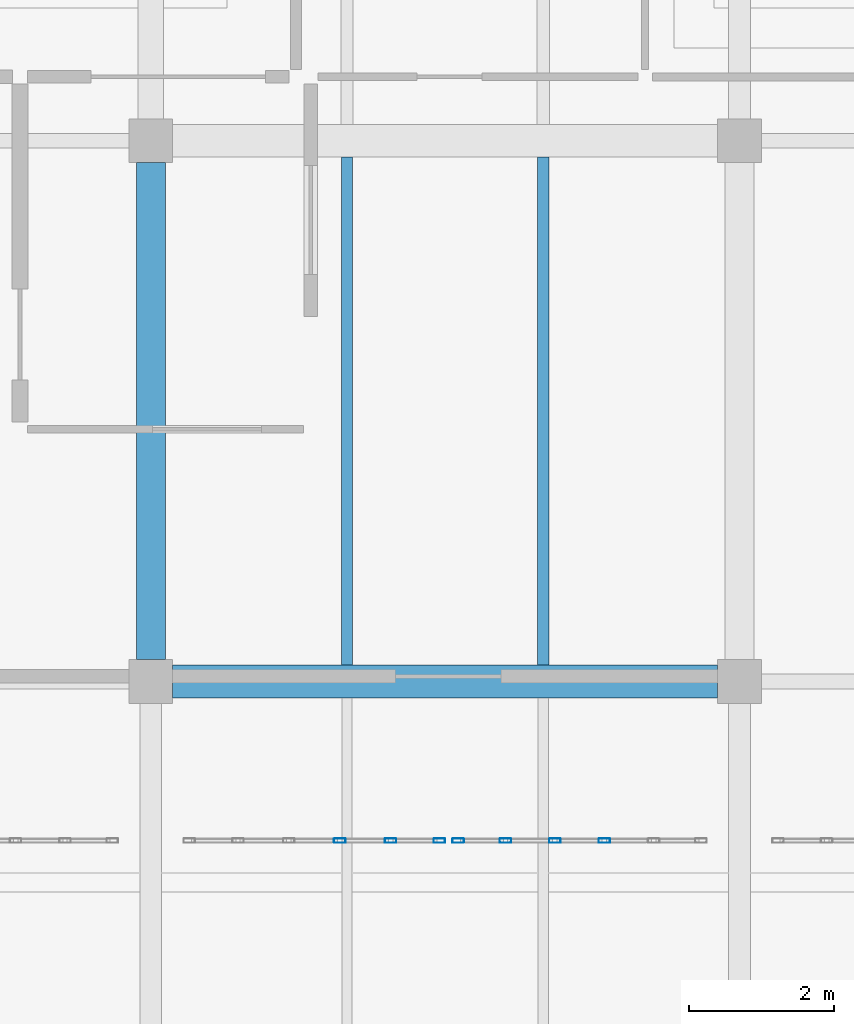
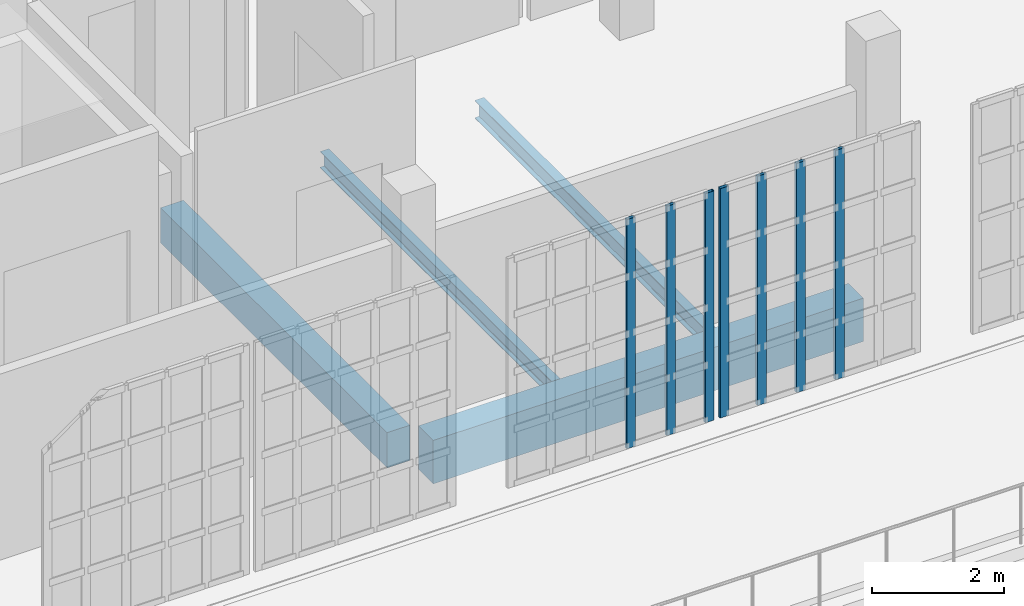
# One storey, part 22 of 56: 7 members, 4 beams, 2 elements without a shape of their own.
"""IFC4 building model written with IfcOpenShell, lengths in metres."""

import ifcopenshell
import ifcopenshell.guid

model = None  # the IFC model being written
_history = None  # IfcOwnerHistory: only IFC2X3 demands one
_inside = {}  # id of a spatial element -> (the spatial element, [elements in it])
_under = {}  # id of a project, library or spatial element -> (it, [spatial elements below it])
_declared = {}  # id of a project -> (the project, [libraries it declares])
_typed = {}  # id of a type object -> (the type object, [elements of that type])
_made_of = {}  # id of a material, layer set ... -> (it, [elements and type objects made of it])


def new_model(schema):
    """Start an empty IFC model of exactly this schema.

    Asked for "IFC4X3", IfcOpenShell would pick the latest addendum, in which some entities
    have other attributes; the version numbers below select the first issue.
    IFC2X3 requires an IfcOwnerHistory on every rooted entity: one is made here for all.
    """
    global model, _history
    if schema == "IFC4X3":
        model = ifcopenshell.file(schema_version=(4, 3, 0, 0))
    else:
        model = ifcopenshell.file(schema=schema)
    _inside.clear()
    _under.clear()
    _declared.clear()
    _typed.clear()
    _made_of.clear()
    _history = None
    if model.schema == "IFC2X3":
        org = make("IfcOrganization", Name="unknown")
        user = make(
            "IfcPersonAndOrganization",
            ThePerson=make("IfcPerson", FamilyName="unknown"),
            TheOrganization=org,
        )
        app = make(
            "IfcApplication",
            ApplicationDeveloper=org,
            Version="unknown",
            ApplicationFullName="unknown",
            ApplicationIdentifier="unknown",
        )
        _history = make(
            "IfcOwnerHistory",
            OwningUser=user,
            OwningApplication=app,
            ChangeAction="ADDED",
            CreationDate=0,
        )
    return model


def make(cls, **values):
    """One entity of the class cls with the attributes given. An attribute that is None is left unset."""
    return model.create_entity(
        cls, **{name: value for name, value in values.items() if value is not None}
    )


def rooted(cls, **values):
    """An entity with a GlobalId (a new one), such as an element, a storey or a relation."""
    return make(cls, GlobalId=ifcopenshell.guid.new(), OwnerHistory=_history, **values)


def si_unit(unit_type, name, prefix=None):
    """IfcSIUnit, for example si_unit("LENGTHUNIT", "METRE", prefix="MILLI")."""
    return make("IfcSIUnit", UnitType=unit_type, Prefix=prefix, Name=name)


def assignment(units):
    """IfcUnitAssignment: the units of a project."""
    return None if units is None else make("IfcUnitAssignment", Units=units)


def point(xyz):
    """IfcCartesianPoint."""
    return None if xyz is None else make("IfcCartesianPoint", Coordinates=xyz)


def direction(xyz):
    """IfcDirection."""
    return None if xyz is None else make("IfcDirection", DirectionRatios=xyz)


def frame(location, z_axis=None, x_axis=None):
    """IfcAxis2Placement3D, a coordinate frame: its origin and axes. An axis left out is left unset."""
    return make(
        "IfcAxis2Placement3D",
        Location=point(location),
        Axis=direction(z_axis),
        RefDirection=direction(x_axis),
    )


def frame_2d(location, x_axis=None):
    """IfcAxis2Placement2D, a coordinate frame in the plane: its origin and x axis."""
    return make(
        "IfcAxis2Placement2D", Location=point(location), RefDirection=direction(x_axis)
    )


def origin():
    """The frame at (0, 0, 0) with its axes left unset."""
    return frame((0.0, 0.0, 0.0))


def origin_2d():
    """The frame at (0, 0) in the plane with its x axis left unset."""
    return frame_2d((0.0, 0.0))


def place(relative_to, where):
    """IfcLocalPlacement: puts the frame where relative to a parent placement (None: the world)."""
    return make(
        "IfcLocalPlacement", PlacementRelTo=relative_to, RelativePlacement=where
    )


def context(
    kind, dimensions, precision=None, world=None, true_north=None, identifier=None
):
    """IfcGeometricRepresentationContext, for example the 3D "Model" context."""
    return make(
        "IfcGeometricRepresentationContext",
        ContextIdentifier=identifier,
        ContextType=kind,
        CoordinateSpaceDimension=dimensions,
        Precision=precision,
        WorldCoordinateSystem=world,
        TrueNorth=true_north,
    )


def subcontext(parent, identifier, kind, view, scale=None):
    """IfcGeometricRepresentationSubContext, for example "Body" below "Model"."""
    return make(
        "IfcGeometricRepresentationSubContext",
        ContextIdentifier=identifier,
        ContextType=kind,
        ParentContext=parent,
        TargetScale=scale,
        TargetView=view,
    )


def project(units=None, contexts=None):
    """IfcProject with its units and contexts."""
    return rooted(
        "IfcProject",
        Name="project",
        RepresentationContexts=contexts,
        UnitsInContext=assignment(units),
    )


def spatial(cls, under=None, at=None, **own):
    """A site, building, storey or space (cls), placed at a placement, below another one or the project."""
    s = rooted(cls, ObjectPlacement=at, **own)
    if under is not None:
        _under.setdefault(under.id(), (under, []))[1].append(s)
    return s


def profile(cls, at=None, kind="AREA", **sizes):
    """A parametric profile (cls). Its sizes go by their IFC names, for example OverallWidth=200.0."""
    return make(cls, ProfileType=kind, Position=at, **sizes)


def rectangle(**sizes):
    """IfcRectangleProfileDef."""
    return profile("IfcRectangleProfileDef", **sizes)


def hollow_rectangle(**sizes):
    """IfcRectangleHollowProfileDef."""
    return profile("IfcRectangleHollowProfileDef", **sizes)


def i_section(**sizes):
    """IfcIShapeProfileDef."""
    return profile("IfcIShapeProfileDef", **sizes)


def extrude(swept, where, along, depth):
    """IfcExtrudedAreaSolid: the profile swept, set in the frame where, extruded along a direction by depth."""
    return make(
        "IfcExtrudedAreaSolid",
        SweptArea=swept,
        Position=where,
        ExtrudedDirection=direction(along),
        Depth=depth,
    )


def shape(context_of_items, identifier, shape_type, items):
    """IfcShapeRepresentation: the items that make up one representation, for example the "Body"."""
    return make(
        "IfcShapeRepresentation",
        ContextOfItems=context_of_items,
        RepresentationIdentifier=identifier,
        RepresentationType=shape_type,
        Items=items,
    )


def material(Name=None, Category=None):
    """IfcMaterial."""
    return make("IfcMaterial", Name=Name, Category=Category)


def material_profile(
    of_material, cross_section, Name=None, Category=None, Priority=None
):
    """IfcMaterialProfile: a cross section and its material."""
    return make(
        "IfcMaterialProfile",
        Name=Name,
        Material=of_material,
        Profile=cross_section,
        Priority=Priority,
        Category=Category,
    )


def profile_set(profiles, Name=None, composite=None):
    """IfcMaterialProfileSet."""
    return make(
        "IfcMaterialProfileSet",
        Name=Name,
        MaterialProfiles=profiles,
        CompositeProfile=composite,
    )


def made_of(thing, what):
    """Note that an element or type object is made of a material, layer set ...; save() writes the relation."""
    if what is not None:
        _made_of.setdefault(what.id(), (what, []))[1].append(thing)
    return thing


def type_object(cls, material=None, **own):
    """A type object (cls), such as IfcWallType, which elements share."""
    return made_of(rooted(cls, **own), material)


def element(
    cls,
    number,
    at=None,
    inside=None,
    cuts=None,
    type_object=None,
    material=None,
    context=None,
    identifier="Body",
    shape_type=None,
    held_by="IfcProductDefinitionShape",
    body=None,
    shapes=None,
    **own,
):
    """One element of the class cls, such as IfcWall. Its Tag is "e" and its number.

    at: its placement. inside: the storey or other place that contains it. cuts: it is an
    opening in that element (IfcRelVoidsElement). A single representation is given by context,
    identifier, shape_type and body (its items); several are given by shapes. held_by: the class
    of the entity that holds the representations. save() writes the other relations.
    """
    e = rooted(cls, Tag="e%d" % number, ObjectPlacement=at, **own)
    if body is not None:
        shapes = [shape(context, identifier, shape_type, body)]
    if shapes is not None:
        e.Representation = make(held_by, Representations=shapes)
    if inside is not None:
        _inside.setdefault(inside.id(), (inside, []))[1].append(e)
    if cuts is not None:
        rooted(
            "IfcRelVoidsElement", RelatingBuildingElement=cuts, RelatedOpeningElement=e
        )
    if type_object is not None:
        _typed.setdefault(type_object.id(), (type_object, []))[1].append(e)
    return made_of(e, material)


def aggregate(whole, parts):
    """IfcRelAggregates: a whole, such as a stair, and the parts it consists of."""
    return rooted("IfcRelAggregates", RelatingObject=whole, RelatedObjects=parts)


def save(model, path):
    """Write the relations noted so far, then the file.

    IfcRelAggregates (storeys below a building ...), IfcRelContainedInSpatialStructure (elements
    in a storey), IfcRelDefinesByType, IfcRelAssociatesMaterial and IfcRelDeclares: one each for
    every whole, place, type object, material and project.
    """
    for whole, parts in _under.values():
        aggregate(whole, parts)
    for where, things in _inside.values():
        rooted(
            "IfcRelContainedInSpatialStructure",
            RelatedElements=things,
            RelatingStructure=where,
        )
    for kind, things in _typed.values():
        rooted("IfcRelDefinesByType", RelatedObjects=things, RelatingType=kind)
    for what, things in _made_of.values():
        rooted("IfcRelAssociatesMaterial", RelatedObjects=things, RelatingMaterial=what)
    for by, libraries in _declared.values():
        rooted("IfcRelDeclares", RelatingContext=by, RelatedDefinitions=libraries)
    model.write(path)


model = new_model("IFC4")

# Units and contexts
model_context = context("Model", 3, precision=1e-05, world=origin(), true_north=direction((0.0, 1.0)))
body_context = subcontext(model_context, "Body", "Model", "MODEL_VIEW")
ifc_project = project(units=[si_unit("LENGTHUNIT", "METRE"), si_unit("AREAUNIT", "SQUARE_METRE"), si_unit("VOLUMEUNIT", "CUBIC_METRE"), si_unit("PLANEANGLEUNIT", "RADIAN"), si_unit("MASSUNIT", "GRAM", prefix="KILO")], contexts=[model_context])

# Site, building, storey
site_placement = place(None, origin())
site = spatial("IfcSite", under=ifc_project, at=site_placement, CompositionType="ELEMENT")
building_placement = place(site_placement, origin())
building = spatial("IfcBuilding", under=site, at=building_placement, Name="Kaelora Sail Theatre", CompositionType="ELEMENT")
storey_placement = place(building_placement, frame((0.0, 0.0, 14.699951171875)))
storey = spatial("IfcBuildingStorey", under=building, at=storey_placement, Name="L03", CompositionType="ELEMENT", Elevation=14.699951171875)

# Curtain wall, members
ifc_material_1 = material(Name="Anodised aluminium and solar-control low-E IGU", Category="aluminium")
curtain_wall_type = type_object("IfcCurtainWallType", Name="ARC-CW-CW-NWG", PredefinedType="NOTDEFINED", material=ifc_material_1)
curtain_wall_1_placement = place(storey_placement, origin())
curtain_wall_1 = element("IfcCurtainWall", 1, at=curtain_wall_1_placement, inside=storey, type_object=curtain_wall_type, Name="Glazed Foyer/Conservatory Curtain Wall NW4-S-L03-04", PredefinedType="NOTDEFINED")
ifc_material_2 = material(Name="Anodised aluminium 6063-T6", Category="aluminium")
ifc_material_profile_1 = material_profile(ifc_material_2, hollow_rectangle(XDim=0.06005859375, YDim=0.159912109375, WallThickness=0.00390625, InnerFilletRadius=0.00390625, OuterFilletRadius=0.008056640625, at=origin_2d()), Name="ALU-MULL 60x160x4")
ifc_profile_set_1 = profile_set([ifc_material_profile_1], Name="Anodised aluminium 6063-T6")
member_type = type_object("IfcMemberType", Name="ARC-MEM-ML-160", PredefinedType="MULLION", material=ifc_profile_set_1)
member_1_placement = place(storey_placement, frame((117.5, 88.590087890625, 0.0), z_axis=(0.0, 0.0, 1.0), x_axis=(0.0, 1.0, 0.0)))
member_1 = element("IfcMember", 2, at=member_1_placement, type_object=member_type, Name="CW-NWG mullion 4", PredefinedType="MULLION", context=body_context, shape_type="SweptSolid", body=[
    extrude(hollow_rectangle(XDim=0.06005859375, YDim=0.159912109375, WallThickness=0.00390625, InnerFilletRadius=0.00390625, OuterFilletRadius=0.008056640625, at=origin_2d()), origin(), (0.0, 0.0, 1.0), 4.22509765625),
])
member_2_placement = place(storey_placement, frame((118.199951171875, 88.590087890625, 0.0), z_axis=(0.0, 0.0, 1.0), x_axis=(0.0, 1.0, 0.0)))
member_2 = element("IfcMember", 3, at=member_2_placement, type_object=member_type, Name="CW-NWG mullion 5", PredefinedType="MULLION", context=body_context, shape_type="SweptSolid", body=[
    extrude(hollow_rectangle(XDim=0.06005859375, YDim=0.159912109375, WallThickness=0.00390625, InnerFilletRadius=0.00390625, OuterFilletRadius=0.008056640625, at=origin_2d()), origin(), (0.0, 0.0, 1.0), 4.22509765625),
])
member_3_placement = place(storey_placement, frame((118.8701171875, 88.590087890625, 0.0), z_axis=(0.0, 0.0, 1.0), x_axis=(0.0, 1.0, 0.0)))
member_3 = element("IfcMember", 4, at=member_3_placement, type_object=member_type, Name="CW-NWG mullion 6", PredefinedType="MULLION", context=body_context, shape_type="SweptSolid", body=[
    extrude(hollow_rectangle(XDim=0.06005859375, YDim=0.159912109375, WallThickness=0.00390625, InnerFilletRadius=0.00390625, OuterFilletRadius=0.008056640625, at=origin_2d()), origin(), (0.0, 0.0, 1.0), 4.22509765625),
])
aggregate(curtain_wall_1, [member_1, member_2, member_3])

curtain_wall_2_placement = place(storey_placement, origin())
curtain_wall_2 = element("IfcCurtainWall", 5, at=curtain_wall_2_placement, inside=storey, type_object=curtain_wall_type, Name="Glazed Foyer/Conservatory Curtain Wall NW4-S-L03-05", PredefinedType="NOTDEFINED")
member_4_placement = place(storey_placement, frame((119.1298828125, 88.590087890625, 0.0), z_axis=(0.0, 0.0, 1.0), x_axis=(0.0, 1.0, 0.0)))
member_4 = element("IfcMember", 6, at=member_4_placement, type_object=member_type, Name="CW-NWG mullion 1", PredefinedType="MULLION", context=body_context, shape_type="SweptSolid", body=[
    extrude(hollow_rectangle(XDim=0.06005859375, YDim=0.159912109375, WallThickness=0.00390625, InnerFilletRadius=0.00390625, OuterFilletRadius=0.008056640625, at=origin_2d()), origin(), (0.0, 0.0, 1.0), 4.22509765625),
])
member_5_placement = place(storey_placement, frame((119.780029296875, 88.590087890625, 0.0), z_axis=(0.0, 0.0, 1.0), x_axis=(0.0, 1.0, 0.0)))
member_5 = element("IfcMember", 7, at=member_5_placement, type_object=member_type, Name="CW-NWG mullion 2", PredefinedType="MULLION", context=body_context, shape_type="SweptSolid", body=[
    extrude(hollow_rectangle(XDim=0.06005859375, YDim=0.159912109375, WallThickness=0.00390625, InnerFilletRadius=0.00390625, OuterFilletRadius=0.008056640625, at=origin_2d()), origin(), (0.0, 0.0, 1.0), 4.22509765625),
])
member_6_placement = place(storey_placement, frame((120.4599609375, 88.590087890625, 0.0), z_axis=(0.0, 0.0, 1.0), x_axis=(0.0, 1.0, 0.0)))
member_6 = element("IfcMember", 8, at=member_6_placement, type_object=member_type, Name="CW-NWG mullion 3", PredefinedType="MULLION", context=body_context, shape_type="SweptSolid", body=[
    extrude(hollow_rectangle(XDim=0.06005859375, YDim=0.159912109375, WallThickness=0.00390625, InnerFilletRadius=0.00390625, OuterFilletRadius=0.008056640625, at=origin_2d()), origin(), (0.0, 0.0, 1.0), 4.22509765625),
])
member_7_placement = place(storey_placement, frame((121.139892578125, 88.590087890625, 0.0), z_axis=(0.0, 0.0, 1.0), x_axis=(0.0, 1.0, 0.0)))
member_7 = element("IfcMember", 9, at=member_7_placement, type_object=member_type, Name="CW-NWG mullion 4", PredefinedType="MULLION", context=body_context, shape_type="SweptSolid", body=[
    extrude(hollow_rectangle(XDim=0.06005859375, YDim=0.159912109375, WallThickness=0.00390625, InnerFilletRadius=0.00390625, OuterFilletRadius=0.008056640625, at=origin_2d()), origin(), (0.0, 0.0, 1.0), 4.22509765625),
])
aggregate(curtain_wall_2, [member_4, member_5, member_6, member_7])

# Beams
ifc_material_3 = material(Name="Concrete C40/50", Category="concrete")
ifc_material_profile_2 = material_profile(ifc_material_3, rectangle(XDim=0.39990234375, YDim=0.64990234375, at=origin_2d()), Name="RC-BM 400x650")
ifc_profile_set_2 = profile_set([ifc_material_profile_2], Name="Concrete C40/50")
beam_type_1 = type_object("IfcBeamType", Name="STR-BM-BM-RC4065", PredefinedType="BEAM", material=ifc_profile_set_2)
beam_1_placement = place(storey_placement, frame((114.89990234375, 91.080078125, -0.599853515625), z_axis=(0.0, 1.0, 0.0), x_axis=(-1.0, 0.0, 0.0)))
element("IfcBeam", 10, at=beam_1_placement, inside=storey, type_object=beam_type_1, Name="Primary beam 15 M-N (L03)", PredefinedType="BEAM", context=body_context, shape_type="SweptSolid", body=[
    extrude(rectangle(XDim=0.39990234375, YDim=0.64990234375, at=origin_2d()), origin(), (0.0, 0.0, 1.0), 6.83984375),
])
ifc_material_4 = material(Name="Concrete C45/55", Category="concrete")
ifc_material_profile_3 = material_profile(ifc_material_4, rectangle(XDim=0.449951171875, YDim=0.800048828125, at=origin_2d()), Name="RC-BM 450x800")
ifc_profile_set_3 = profile_set([ifc_material_profile_3], Name="Concrete C45/55")
beam_type_2 = type_object("IfcBeamType", Name="STR-BM-BM-RC4580", PredefinedType="BEAM", material=ifc_profile_set_3)
beam_2_placement = place(storey_placement, frame((115.199951171875, 90.780029296875, -0.675048828125), z_axis=(1.0, 0.0, 0.0), x_axis=(0.0, 1.0, 0.0)))
element("IfcBeam", 11, at=beam_2_placement, inside=storey, type_object=beam_type_2, Name="Primary beam M 15-16 (L03)", PredefinedType="BEAM", context=body_context, shape_type="SweptSolid", body=[
    extrude(rectangle(XDim=0.449951171875, YDim=0.800048828125, at=origin_2d()), origin(), (0.0, 0.0, 1.0), 7.5),
])
ifc_material_5 = material(Name="Steel S355", Category="steel")
ifc_material_profile_4 = material_profile(ifc_material_5, i_section(OverallWidth=0.14990234375, OverallDepth=0.300048828125, WebThickness=0.007080078125, FlangeThickness=0.0107421875, FilletRadius=0.014892578125, at=origin_2d()), Name="IPE 300")
ifc_profile_set_4 = profile_set([ifc_material_profile_4], Name="Steel S355")
beam_type_3 = type_object("IfcBeamType", Name="STR-BM-JS-IPE300", PredefinedType="JOIST", material=ifc_profile_set_4)
beam_3_placement = place(storey_placement, frame((117.60009765625, 91.0048828125, -0.425048828125), z_axis=(0.0, 1.0, 0.0), x_axis=(-1.0, 0.0, 0.0)))
element("IfcBeam", 12, at=beam_3_placement, inside=storey, type_object=beam_type_3, Name="Secondary floor joist 15/M-1 (L03)", PredefinedType="JOIST", context=body_context, shape_type="SweptSolid", body=[
    extrude(i_section(OverallWidth=0.14990234375, OverallDepth=0.300048828125, WebThickness=0.007080078125, FlangeThickness=0.0107421875, FilletRadius=0.014892578125, at=origin_2d()), origin(), (0.0, 0.0, 1.0), 6.990234375),
])
ifc_material_6 = material(Name="Steel S355", Category="steel")
ifc_material_profile_5 = material_profile(ifc_material_6, i_section(OverallWidth=0.159912109375, OverallDepth=0.330078125, WebThickness=0.007568359375, FlangeThickness=0.011474609375, FilletRadius=0.01806640625, at=origin_2d()), Name="IPE 330")
ifc_profile_set_5 = profile_set([ifc_material_profile_5], Name="Steel S355")
beam_type_4 = type_object("IfcBeamType", Name="STR-BM-JS-IPE330", PredefinedType="JOIST", material=ifc_profile_set_5)
beam_4_placement = place(storey_placement, frame((120.300048828125, 91.0048828125, -0.43994140625), z_axis=(0.0, 1.0, 0.0), x_axis=(-1.0, 0.0, 0.0)))
element("IfcBeam", 13, at=beam_4_placement, inside=storey, type_object=beam_type_4, Name="Secondary floor joist 15/M-2 (L03)", PredefinedType="JOIST", context=body_context, shape_type="SweptSolid", body=[
    extrude(i_section(OverallWidth=0.159912109375, OverallDepth=0.330078125, WebThickness=0.007568359375, FlangeThickness=0.011474609375, FilletRadius=0.01806640625, at=origin_2d()), origin(), (0.0, 0.0, 1.0), 6.990234375),
])

save(model, "model.ifc")
